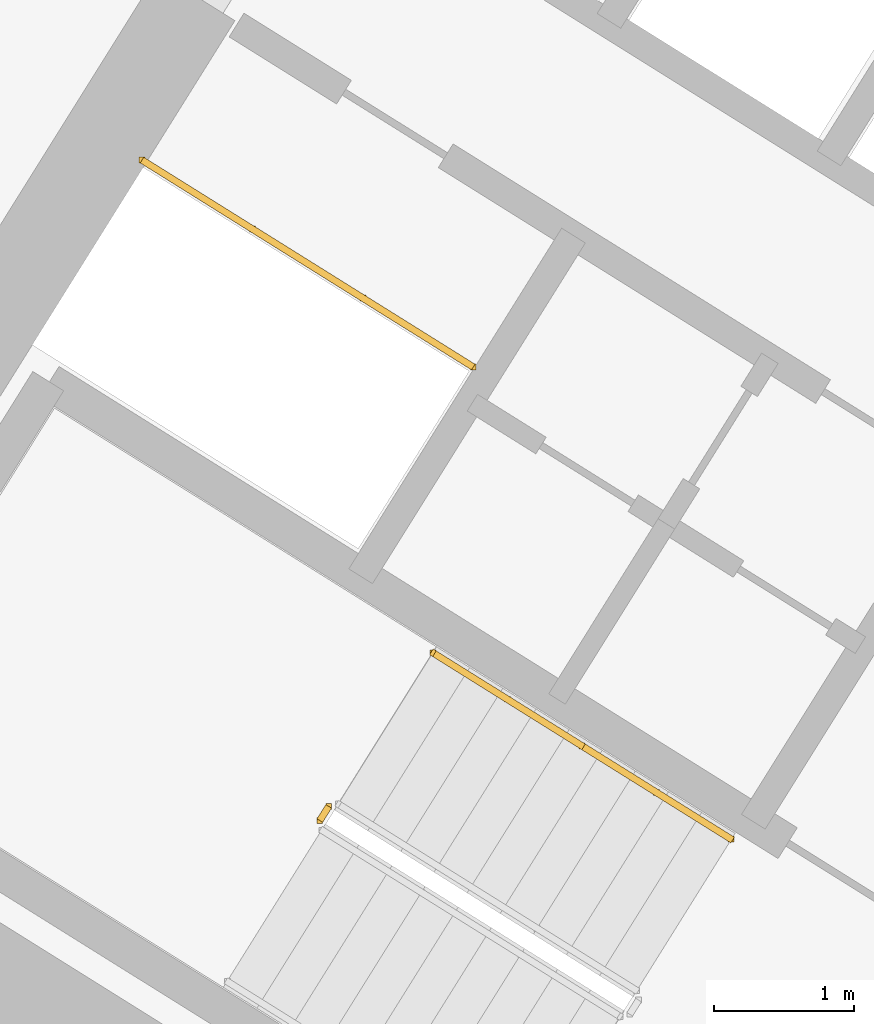
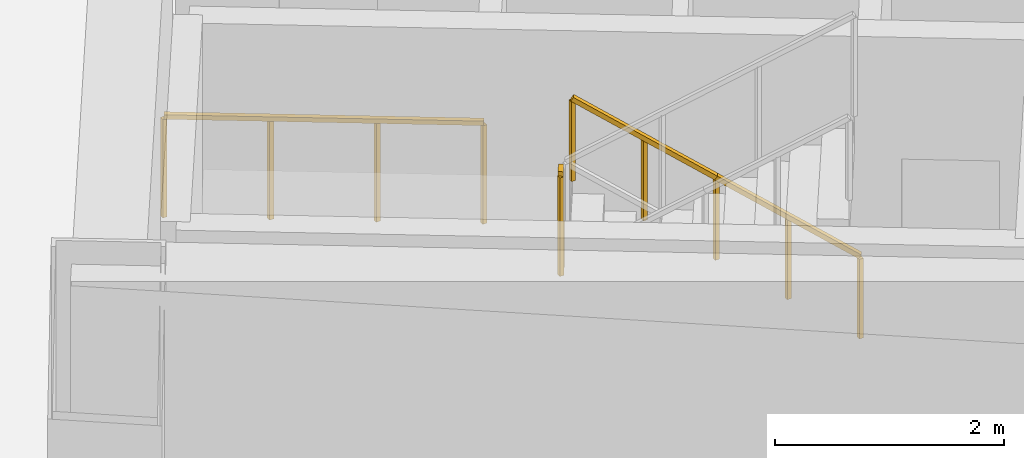
# One storey, part 24 of 28: 4 railings.
"""IFC4 building model written with IfcOpenShell, lengths in metres."""

from ifc_helpers import new_model, si_unit, direction, frame, origin, origin_2d, place, context, subcontext, project, spatial, rectangle, extrude, source, transform, mapped, material, type_object, element, save


model = new_model("IFC4")

# Units and contexts
model_context = context("Model", 3, precision=1e-05, world=origin(), true_north=direction((0.0, 1.0)))
body_context = subcontext(model_context, "Body", "Model", "MODEL_VIEW")
ifc_project = project(units=[si_unit("LENGTHUNIT", "METRE"), si_unit("AREAUNIT", "SQUARE_METRE"), si_unit("VOLUMEUNIT", "CUBIC_METRE"), si_unit("PLANEANGLEUNIT", "RADIAN"), si_unit("MASSUNIT", "GRAM", prefix="KILO")], contexts=[model_context])

# Site, building, storey
site_placement = place(None, origin())
site = spatial("IfcSite", under=ifc_project, at=site_placement, CompositionType="ELEMENT")
building_placement = place(site_placement, origin())
building = spatial("IfcBuilding", under=site, at=building_placement, Name="Tlacorven Tower", CompositionType="ELEMENT")
storey_placement = place(building_placement, frame((0.0, 0.0, 49.199951171875)))
storey = spatial("IfcBuildingStorey", under=building, at=storey_placement, Name="L12", CompositionType="ELEMENT", Elevation=49.199951171875)

# Railings
ifc_material = material(Name="Aluminium and painted steel balustrade", Category="steel")
railing_type_1 = type_object("IfcRailingType", Name="RL-GRD-1100", PredefinedType="GUARDRAIL", material=ifc_material)
shared_shape_1 = source(origin(), body_context, "Body", "SweptSolid", [
    extrude(rectangle(XDim=0.048095703125, YDim=0.048095703125, at=origin_2d()), frame((0.0, 0.0, 1.076171875), z_axis=(-0.848091358275, 0.529850024081, 0.0), x_axis=(-0.529850024081, -0.848091358275, 0.0)), (0.0, 0.0, 1.0), 2.800048828125),
    extrude(rectangle(XDim=0.0419921875, YDim=0.0419921875, at=origin_2d()), origin(), (0.0, 0.0, 1.0), 1.052001953125),
    extrude(rectangle(XDim=0.0419921875, YDim=0.0419921875, at=origin_2d()), frame((-0.79150390625, 0.49462890625, 0.0)), (0.0, 0.0, 1.0), 1.052001953125),
    extrude(rectangle(XDim=0.0419921875, YDim=0.0419921875, at=origin_2d()), frame((-1.583251953125, 0.989013671875, 0.0)), (0.0, 0.0, 1.0), 1.052001953125),
    extrude(rectangle(XDim=0.0419921875, YDim=0.0419921875, at=origin_2d()), frame((-2.374755859375, 1.483642578125, 0.0)), (0.0, 0.0, 1.0), 1.052001953125),
])
railing_1_placement = place(storey_placement, frame((27.9912109375, 22.32080078125, 0.0)))
element("IfcRailing", 1, at=railing_1_placement, inside=storey, type_object=railing_type_1, Name="L12 Electrical Riser W Shaft Guard 1", PredefinedType="GUARDRAIL", context=body_context, shape_type="MappedRepresentation", body=[
    mapped(shared_shape_1, transform((0.0, 0.0, 0.0), scale=1.0)),
])
shared_shape_2 = source(origin(), body_context, "Body", "SweptSolid", [
    extrude(rectangle(XDim=0.048095703125, YDim=0.048095703125, at=origin_2d()), frame((0.0, 0.0, 1.076171875), z_axis=(-0.530546985787, -0.847655529016, 0.0), x_axis=(0.847655529016, -0.530546985787, 0.0)), (0.0, 0.0, 1.0), 0.1201171875),
    extrude(rectangle(XDim=0.0419921875, YDim=0.0419921875, at=origin_2d()), origin(), (0.0, 0.0, 1.0), 1.052001953125),
    extrude(rectangle(XDim=0.0419921875, YDim=0.0419921875, at=origin_2d()), frame((-0.063720703125, -0.101806640625, 0.0)), (0.0, 0.0, 1.0), 1.052001953125),
])
railing_2_placement = place(storey_placement, frame((26.954833984375, 19.17138671875, 1.800048828125)))
element("IfcRailing", 2, at=railing_2_placement, inside=storey, type_object=railing_type_1, Name="L12 ST-W1 stair guard 2", PredefinedType="GUARDRAIL", context=body_context, shape_type="MappedRepresentation", body=[
    mapped(shared_shape_2, transform((0.0, 0.0, 0.0), scale=1.0)),
])
railing_type_2 = type_object("IfcRailingType", Name="RL-HND-0900", PredefinedType="HANDRAIL", material=ifc_material)
shared_shape_3 = source(origin(), body_context, "Body", "SweptSolid", [
    extrude(rectangle(XDim=0.048095703125, YDim=0.048095703125, at=origin_2d()), frame((0.0, 0.0, 0.8759765625), z_axis=(-0.713359751793, 0.4457479829, 0.540764828981), x_axis=(-0.529911857636, -0.848052724267, 0.0)), (0.0, 0.0, 1.0), 1.498046875),
    extrude(rectangle(XDim=0.0419921875, YDim=0.0419921875, at=origin_2d()), origin(), (0.0, 0.0, 1.0), 0.851806640625),
    extrude(rectangle(XDim=0.0419921875, YDim=0.0419921875, at=origin_2d()), frame((-0.5341796875, 0.333984375, 0.405029296875)), (0.0, 0.0, 1.0), 0.851806640625),
    extrude(rectangle(XDim=0.0419921875, YDim=0.0419921875, at=origin_2d()), frame((-1.068603515625, 0.667724609375, 0.81005859375)), (0.0, 0.0, 1.0), 0.851806640625),
])
for number, where, name in (
    (3, (29.839111328125, 18.937255859375, 0.179931640625), "L12 ST-W1 stair handrail 1"),
    (4, (28.7705078125, 19.60498046875, 0.989990234375), "L12 ST-W1 stair handrail 2"),
):
    element("IfcRailing", number, at=place(storey_placement, frame(where)), inside=storey, type_object=railing_type_2, Name=name, PredefinedType="HANDRAIL", context=body_context, shape_type="MappedRepresentation", body=[
        mapped(shared_shape_3, transform((0.0, 0.0, 0.0), scale=1.0)),
    ])

save(model, "model.ifc")
